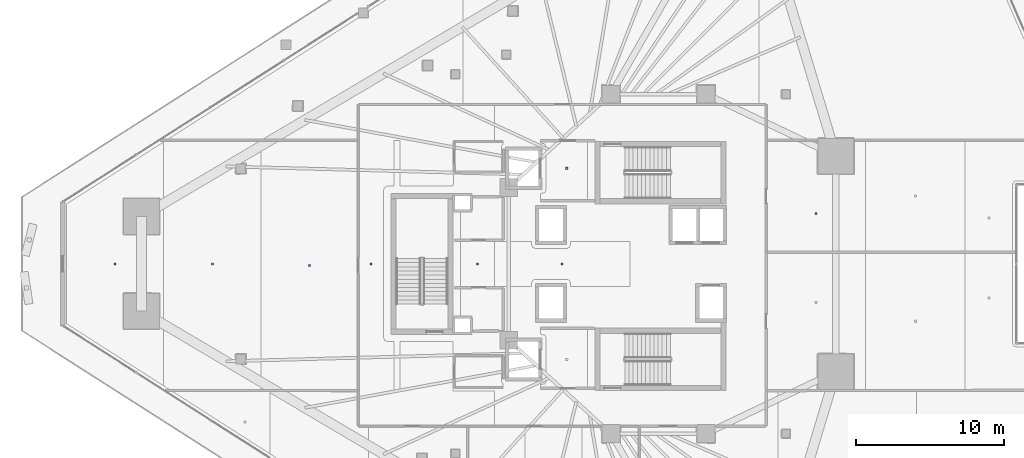
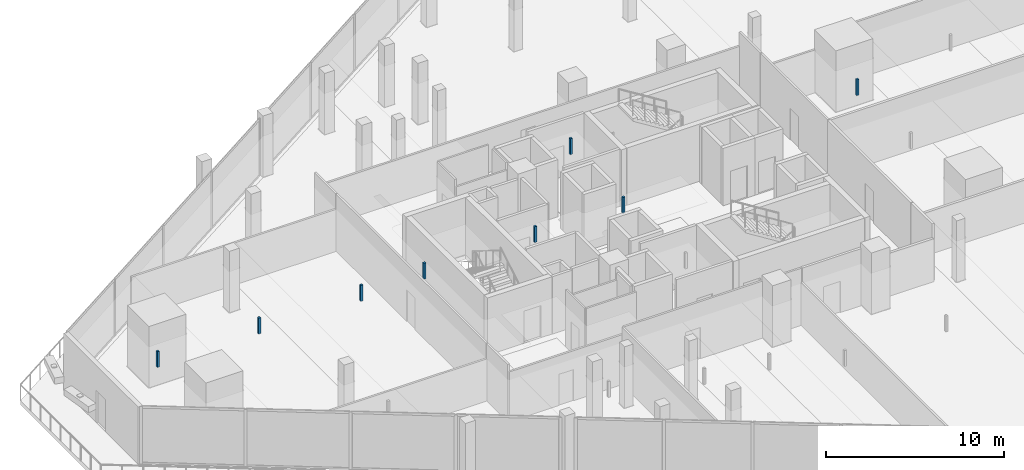
# One storey, part 33 of 44: 8 discrete accessories.
"""IFC4 building model written with IfcOpenShell, lengths in metres."""

from ifc_helpers import new_model, si_unit, direction, frame, origin, origin_2d, place, context, subcontext, project, spatial, rectangle, extrude, material, type_object, element, save


model = new_model("IFC4")

# Units and contexts
model_context = context("Model", 3, precision=1e-05, world=origin(), true_north=direction((0.0, 1.0)))
body_context = subcontext(model_context, "Body", "Model", "MODEL_VIEW")
ifc_project = project(units=[si_unit("LENGTHUNIT", "METRE"), si_unit("AREAUNIT", "SQUARE_METRE"), si_unit("VOLUMEUNIT", "CUBIC_METRE"), si_unit("PLANEANGLEUNIT", "RADIAN"), si_unit("MASSUNIT", "GRAM", prefix="KILO")], contexts=[model_context])

# Site, building, storey
site_placement = place(None, origin())
site = spatial("IfcSite", under=ifc_project, at=site_placement, CompositionType="ELEMENT")
building_placement = place(site_placement, origin())
building = spatial("IfcBuilding", under=site, at=building_placement, Name="Qorvath Tower", CompositionType="ELEMENT")
storey_placement = place(building_placement, frame((0.0, 0.0, 40.800048828125)))
storey = spatial("IfcBuildingStorey", under=building, at=storey_placement, Name="L08", CompositionType="ELEMENT", Elevation=40.800048828125)

# Discrete accessories
ifc_material = material(Name="Galvanised steel bracket", Category="steel")
discrete_accessory_type = type_object("IfcDiscreteAccessoryType", Name="DA-BRACKET", PredefinedType="BRACKET", material=ifc_material)
for number, where, z_axis, x_axis, name in (
    (1, (-26.590087890625, 6.449951171875, 2.85986328125), (0.0, 0.0, 1.0), (1.0, 0.0, 0.0), "Acoustic Ceiling Suspension Hanger T1-L08-001"),
    (2, (-39.797607421875, 0.0, 2.85986328125), (0.0, 0.0, 1.0), (1.0, 0.0, 0.0), "Acoustic Ceiling Suspension Hanger T1-L08-007"),
    (3, (-32.620849609375, 0.0, 2.85986328125), (0.0, 0.0, 1.0), (1.0, 0.0, 0.0), "Acoustic Ceiling Suspension Hanger T1-L08-008"),
    (4, (-26.89990234375, 0.0, 2.85986328125), (0.0, 0.0, 1.0), (1.0, 0.0, 0.0), "Acoustic Ceiling Suspension Hanger T1-L08-009"),
    (5, (-9.781982421875, 3.410400390625, 2.85986328125), (0.0, 0.0, 1.0), (1.0, 0.0, 0.0), "Acoustic Ceiling Suspension Hanger T1-L08-025"),
    (6, (-57.0654296875, 0.0, 2.85986328125), (0.0, 0.0, 1.0), (1.0, 0.0, 0.0), "Acoustic Ceiling Suspension Hanger T1-L08-028"),
    (7, (-50.50439453125, 0.0, 2.85986328125), (0.0, 0.0, 1.0), (1.0, 0.0, 0.0), "Acoustic Ceiling Suspension Hanger T1-L08-029"),
    (8, (-43.943603515625, -0.09716796875, 2.85986328125), (0.0, 0.0, 1.0), (1.0, 0.0, 0.0), "Acoustic Ceiling Suspension Hanger T1-L08-030"),
):
    element("IfcDiscreteAccessory", number, at=place(storey_placement, frame(where, z_axis=z_axis, x_axis=x_axis)), inside=storey, type_object=discrete_accessory_type, Name=name, PredefinedType="NOTDEFINED", context=body_context, shape_type="SweptSolid", body=[
        extrude(rectangle(XDim=0.139892578125, YDim=0.139892578125, at=origin_2d()), origin(), (0.0, 0.0, 1.0), 1.090087890625),
    ])

save(model, "model.ifc")
